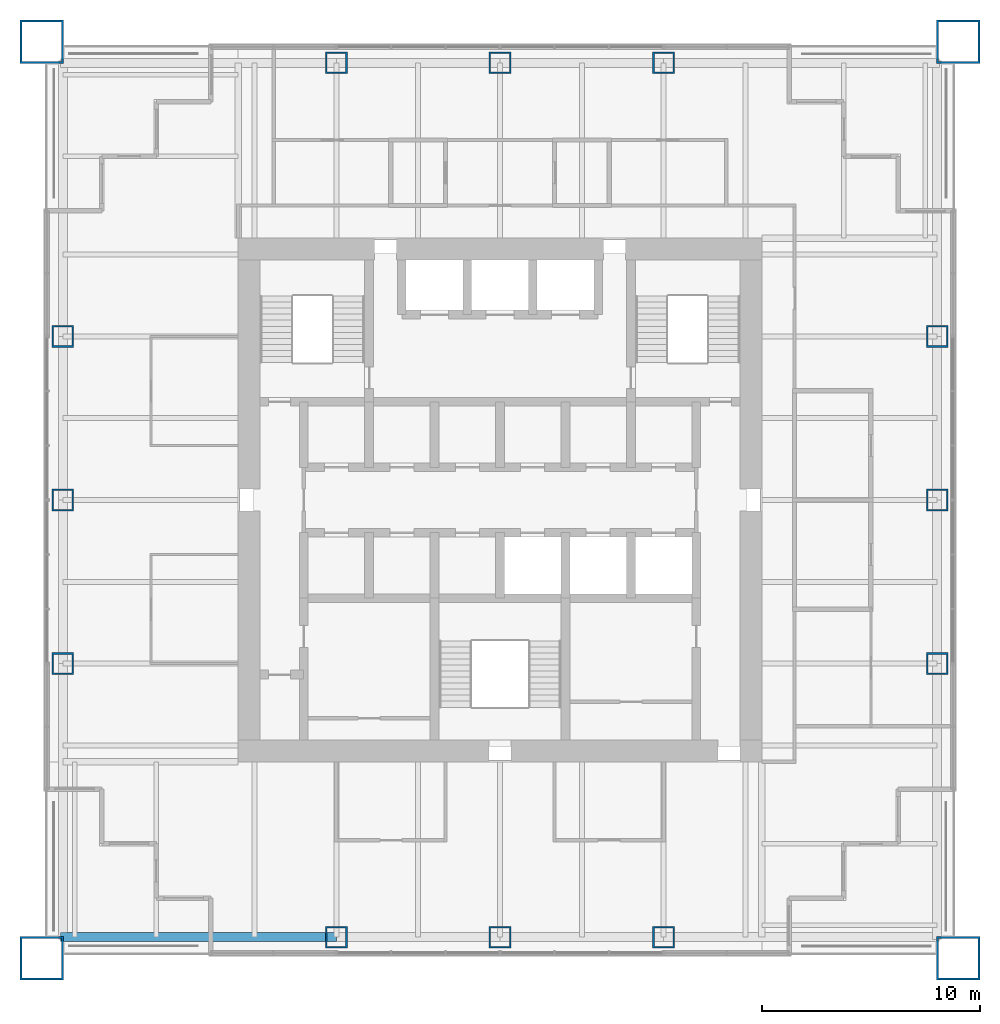
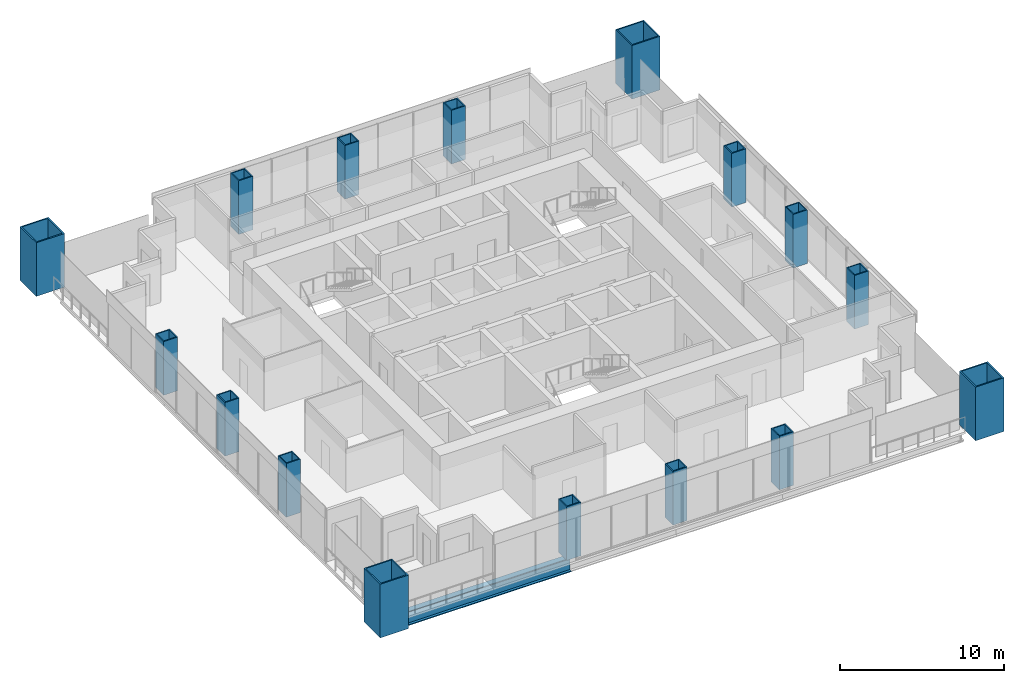
# One storey, part 1 of 14: 16 columns, 1 beam.
"""IFC4 building model written with IfcOpenShell, lengths in metres."""

from ifc_helpers import new_model, si_unit, direction, frame, origin, origin_2d, place, context, subcontext, project, spatial, hollow_rectangle, i_section, extrude, material, material_profile, profile_set, type_object, element, save


model = new_model("IFC4")

# Units and contexts
model_context = context("Model", 3, precision=1e-05, world=origin(), true_north=direction((0.0, 1.0)))
body_context = subcontext(model_context, "Body", "Model", "MODEL_VIEW")
ifc_project = project(units=[si_unit("LENGTHUNIT", "METRE"), si_unit("AREAUNIT", "SQUARE_METRE"), si_unit("VOLUMEUNIT", "CUBIC_METRE"), si_unit("PLANEANGLEUNIT", "RADIAN"), si_unit("MASSUNIT", "GRAM", prefix="KILO")], contexts=[model_context])

# Site, building, storey
site_placement = place(None, origin())
site = spatial("IfcSite", under=ifc_project, at=site_placement, CompositionType="ELEMENT")
building_placement = place(site_placement, origin())
building = spatial("IfcBuilding", under=site, at=building_placement, Name="Tarangal Relay Tower", CompositionType="ELEMENT")
storey_placement = place(building_placement, frame((0.0, 0.0, 323.89990234375)))
storey = spatial("IfcBuildingStorey", under=building, at=storey_placement, Name="L72", CompositionType="ELEMENT", Elevation=323.89990234375)

# Columns
ifc_material_1 = material(Name="Steel ASTM A572 Grade 50", Category="steel")
ifc_material_profile_1 = material_profile(ifc_material_1, hollow_rectangle(XDim=2.0, YDim=2.0, WallThickness=0.094970703125, at=origin_2d()), Name="BOX2000X2000X95")
ifc_profile_set_1 = profile_set([ifc_material_profile_1], Name="Steel ASTM A572 Grade 50")
column_type_1 = type_object("IfcColumnType", Name="Mega column BOX2000X2000X95", PredefinedType="COLUMN", material=ifc_profile_set_1)
for number, where, z_axis, x_axis, name in (
    (1, (21.0, 21.0, 0.0), (0.0, 0.0, 1.0), (1.0, 0.0, 0.0), "Mega column MC4 NE L72"),
    (2, (21.0, -21.0, 0.0), (0.0, 0.0, 1.0), (1.0, 0.0, 0.0), "Mega column MC4 SE L72"),
    (3, (-21.0, -21.0, 0.0), (0.0, 0.0, 1.0), (1.0, 0.0, 0.0), "Mega column MC4 SW L72"),
    (4, (-21.0, 21.0, 0.0), (0.0, 0.0, 1.0), (1.0, 0.0, 0.0), "Mega column MC4 NW L72"),
):
    element("IfcColumn", number, at=place(storey_placement, frame(where, z_axis=z_axis, x_axis=x_axis)), inside=storey, type_object=column_type_1, Name=name, PredefinedType="COLUMN", context=body_context, shape_type="SweptSolid", body=[
        extrude(hollow_rectangle(XDim=2.0, YDim=2.0, WallThickness=0.094970703125, at=origin_2d()), origin(), (0.0, 0.0, 1.0), 4.0),
    ])
ifc_material_profile_2 = material_profile(ifc_material_1, hollow_rectangle(XDim=1.0, YDim=1.0, WallThickness=0.074951171875, at=origin_2d()), Name="BOX1000X1000X75")
ifc_profile_set_2 = profile_set([ifc_material_profile_2], Name="Steel ASTM A572 Grade 50")
column_type_2 = type_object("IfcColumnType", Name="Perimeter column BOX1000X1000X75", PredefinedType="COLUMN", material=ifc_profile_set_2)
for number, where, z_axis, x_axis, name in (
    (5, (-7.5, 20.0400390625, 0.0), (0.0, 0.0, 1.0), (1.0, 0.0, 0.0), "Perimeter column PC5 N L72"),
    (6, (0.0, 20.0400390625, 0.0), (0.0, 0.0, 1.0), (1.0, 0.0, 0.0), "Perimeter column PC5 N L72"),
    (7, (7.5, 20.0400390625, 0.0), (0.0, 0.0, 1.0), (1.0, 0.0, 0.0), "Perimeter column PC5 N L72"),
    (8, (20.0400390625, 7.5, 0.0), (0.0, 0.0, 1.0), (1.0, 0.0, 0.0), "Perimeter column PC5 E L72"),
    (9, (20.0400390625, 0.0, 0.0), (0.0, 0.0, 1.0), (1.0, 0.0, 0.0), "Perimeter column PC5 E L72"),
    (10, (20.0400390625, -7.5, 0.0), (0.0, 0.0, 1.0), (1.0, 0.0, 0.0), "Perimeter column PC5 E L72"),
    (11, (7.5, -20.0400390625, 0.0), (0.0, 0.0, 1.0), (1.0, 0.0, 0.0), "Perimeter column PC5 S L72"),
    (12, (0.0, -20.0400390625, 0.0), (0.0, 0.0, 1.0), (1.0, 0.0, 0.0), "Perimeter column PC5 S L72"),
    (13, (-7.5, -20.0400390625, 0.0), (0.0, 0.0, 1.0), (1.0, 0.0, 0.0), "Perimeter column PC5 S L72"),
    (14, (-20.0400390625, -7.5, 0.0), (0.0, 0.0, 1.0), (1.0, 0.0, 0.0), "Perimeter column PC5 W L72"),
    (15, (-20.0400390625, 0.0, 0.0), (0.0, 0.0, 1.0), (1.0, 0.0, 0.0), "Perimeter column PC5 W L72"),
    (16, (-20.0400390625, 7.5, 0.0), (0.0, 0.0, 1.0), (1.0, 0.0, 0.0), "Perimeter column PC5 W L72"),
):
    element("IfcColumn", number, at=place(storey_placement, frame(where, z_axis=z_axis, x_axis=x_axis)), inside=storey, type_object=column_type_2, Name=name, PredefinedType="COLUMN", context=body_context, shape_type="SweptSolid", body=[
        extrude(hollow_rectangle(XDim=1.0, YDim=1.0, WallThickness=0.074951171875, at=origin_2d()), origin(), (0.0, 0.0, 1.0), 4.0),
    ])

# Beam
ifc_material_2 = material(Name="Steel ASTM A992", Category="steel")
ifc_material_profile_3 = material_profile(ifc_material_2, i_section(OverallWidth=0.41162109375, OverallDepth=1.049072265625, WebThickness=0.033935546875, FlangeThickness=0.059814453125, at=origin_2d()), Name="W40X431")
ifc_profile_set_3 = profile_set([ifc_material_profile_3], Name="Steel ASTM A992")
beam_type = type_object("IfcBeamType", Name="Edge girder W40X431", PredefinedType="SPANDREL", material=ifc_profile_set_3)
beam_placement = place(storey_placement, frame((-7.5, -20.0400390625, -0.67431640625), z_axis=(-1.0, 0.0, 0.0), x_axis=(0.0, -1.0, 0.0)))
element("IfcBeam", 17, at=beam_placement, inside=storey, type_object=beam_type, Name="Edge girder EG1 S L72", PredefinedType="SPANDREL", context=body_context, shape_type="SweptSolid", body=[
    extrude(i_section(OverallWidth=0.41162109375, OverallDepth=1.049072265625, WebThickness=0.033935546875, FlangeThickness=0.059814453125, at=origin_2d()), origin(), (0.0, 0.0, 1.0), 12.64990234375),
])

save(model, "model.ifc")
